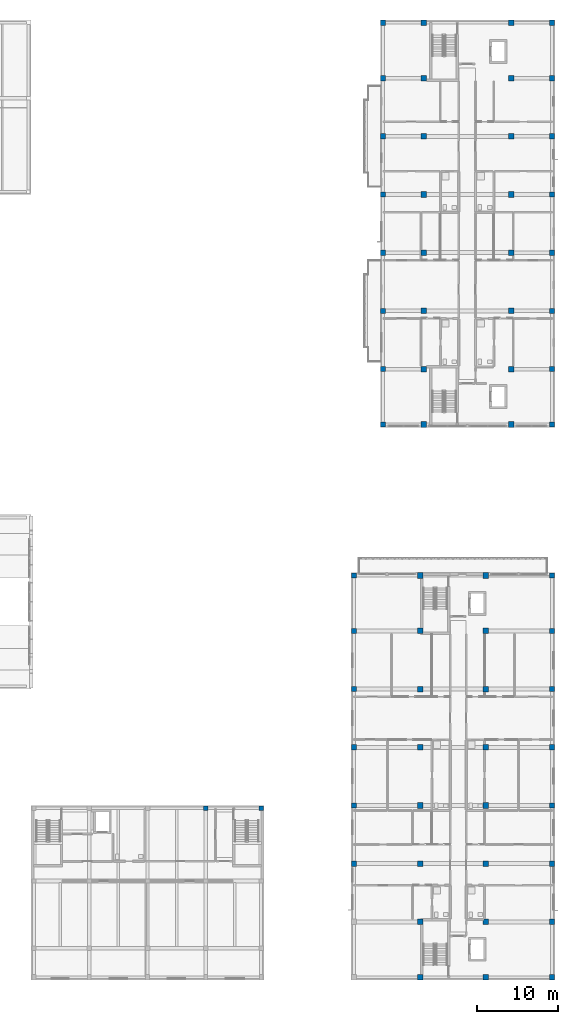
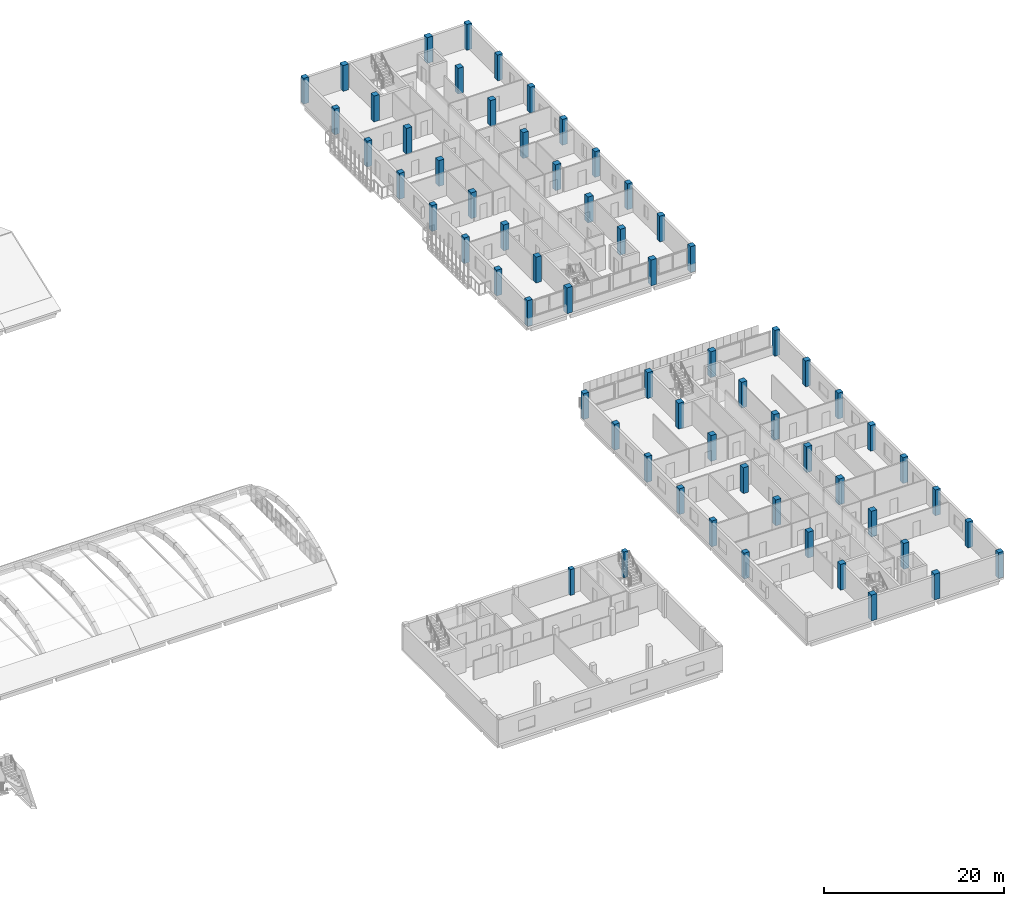
# One storey, part 2 of 73: 64 columns.
"""IFC4 building model written with IfcOpenShell, lengths in metres."""

import ifcopenshell
import ifcopenshell.guid

model = None  # the IFC model being written
_history = None  # IfcOwnerHistory: only IFC2X3 demands one
_inside = {}  # id of a spatial element -> (the spatial element, [elements in it])
_under = {}  # id of a project, library or spatial element -> (it, [spatial elements below it])
_declared = {}  # id of a project -> (the project, [libraries it declares])
_typed = {}  # id of a type object -> (the type object, [elements of that type])
_made_of = {}  # id of a material, layer set ... -> (it, [elements and type objects made of it])


def new_model(schema):
    """Start an empty IFC model of exactly this schema.

    Asked for "IFC4X3", IfcOpenShell would pick the latest addendum, in which some entities
    have other attributes; the version numbers below select the first issue.
    IFC2X3 requires an IfcOwnerHistory on every rooted entity: one is made here for all.
    """
    global model, _history
    if schema == "IFC4X3":
        model = ifcopenshell.file(schema_version=(4, 3, 0, 0))
    else:
        model = ifcopenshell.file(schema=schema)
    _inside.clear()
    _under.clear()
    _declared.clear()
    _typed.clear()
    _made_of.clear()
    _history = None
    if model.schema == "IFC2X3":
        org = make("IfcOrganization", Name="unknown")
        user = make(
            "IfcPersonAndOrganization",
            ThePerson=make("IfcPerson", FamilyName="unknown"),
            TheOrganization=org,
        )
        app = make(
            "IfcApplication",
            ApplicationDeveloper=org,
            Version="unknown",
            ApplicationFullName="unknown",
            ApplicationIdentifier="unknown",
        )
        _history = make(
            "IfcOwnerHistory",
            OwningUser=user,
            OwningApplication=app,
            ChangeAction="ADDED",
            CreationDate=0,
        )
    return model


def make(cls, **values):
    """One entity of the class cls with the attributes given. An attribute that is None is left unset."""
    return model.create_entity(
        cls, **{name: value for name, value in values.items() if value is not None}
    )


def rooted(cls, **values):
    """An entity with a GlobalId (a new one), such as an element, a storey or a relation."""
    return make(cls, GlobalId=ifcopenshell.guid.new(), OwnerHistory=_history, **values)


def si_unit(unit_type, name, prefix=None):
    """IfcSIUnit, for example si_unit("LENGTHUNIT", "METRE", prefix="MILLI")."""
    return make("IfcSIUnit", UnitType=unit_type, Prefix=prefix, Name=name)


def derived_unit(unit_type, elements):
    """IfcDerivedUnit: a product of units, each with its exponent."""
    return make(
        "IfcDerivedUnit",
        Elements=[
            make("IfcDerivedUnitElement", Unit=unit, Exponent=power)
            for unit, power in elements
        ],
        UnitType=unit_type,
    )


def assignment(units):
    """IfcUnitAssignment: the units of a project."""
    return None if units is None else make("IfcUnitAssignment", Units=units)


def point(xyz):
    """IfcCartesianPoint."""
    return None if xyz is None else make("IfcCartesianPoint", Coordinates=xyz)


def direction(xyz):
    """IfcDirection."""
    return None if xyz is None else make("IfcDirection", DirectionRatios=xyz)


def frame(location, z_axis=None, x_axis=None):
    """IfcAxis2Placement3D, a coordinate frame: its origin and axes. An axis left out is left unset."""
    return make(
        "IfcAxis2Placement3D",
        Location=point(location),
        Axis=direction(z_axis),
        RefDirection=direction(x_axis),
    )


def frame_2d(location, x_axis=None):
    """IfcAxis2Placement2D, a coordinate frame in the plane: its origin and x axis."""
    return make(
        "IfcAxis2Placement2D", Location=point(location), RefDirection=direction(x_axis)
    )


def origin():
    """The frame at (0, 0, 0) with its axes left unset."""
    return frame((0.0, 0.0, 0.0))


def origin_2d():
    """The frame at (0, 0) in the plane with its x axis left unset."""
    return frame_2d((0.0, 0.0))


def place(relative_to, where):
    """IfcLocalPlacement: puts the frame where relative to a parent placement (None: the world)."""
    return make(
        "IfcLocalPlacement", PlacementRelTo=relative_to, RelativePlacement=where
    )


def context(
    kind, dimensions, precision=None, world=None, true_north=None, identifier=None
):
    """IfcGeometricRepresentationContext, for example the 3D "Model" context."""
    return make(
        "IfcGeometricRepresentationContext",
        ContextIdentifier=identifier,
        ContextType=kind,
        CoordinateSpaceDimension=dimensions,
        Precision=precision,
        WorldCoordinateSystem=world,
        TrueNorth=true_north,
    )


def subcontext(parent, identifier, kind, view, scale=None):
    """IfcGeometricRepresentationSubContext, for example "Body" below "Model"."""
    return make(
        "IfcGeometricRepresentationSubContext",
        ContextIdentifier=identifier,
        ContextType=kind,
        ParentContext=parent,
        TargetScale=scale,
        TargetView=view,
    )


def project(units=None, contexts=None):
    """IfcProject with its units and contexts."""
    return rooted(
        "IfcProject",
        Name="project",
        RepresentationContexts=contexts,
        UnitsInContext=assignment(units),
    )


def spatial(cls, under=None, at=None, **own):
    """A site, building, storey or space (cls), placed at a placement, below another one or the project."""
    s = rooted(cls, ObjectPlacement=at, **own)
    if under is not None:
        _under.setdefault(under.id(), (under, []))[1].append(s)
    return s


def profile(cls, at=None, kind="AREA", **sizes):
    """A parametric profile (cls). Its sizes go by their IFC names, for example OverallWidth=200.0."""
    return make(cls, ProfileType=kind, Position=at, **sizes)


def rectangle(**sizes):
    """IfcRectangleProfileDef."""
    return profile("IfcRectangleProfileDef", **sizes)


def extrude(swept, where, along, depth):
    """IfcExtrudedAreaSolid: the profile swept, set in the frame where, extruded along a direction by depth."""
    return make(
        "IfcExtrudedAreaSolid",
        SweptArea=swept,
        Position=where,
        ExtrudedDirection=direction(along),
        Depth=depth,
    )


def shape(context_of_items, identifier, shape_type, items):
    """IfcShapeRepresentation: the items that make up one representation, for example the "Body"."""
    return make(
        "IfcShapeRepresentation",
        ContextOfItems=context_of_items,
        RepresentationIdentifier=identifier,
        RepresentationType=shape_type,
        Items=items,
    )


def material(Name=None, Category=None):
    """IfcMaterial."""
    return make("IfcMaterial", Name=Name, Category=Category)


def material_profile(
    of_material, cross_section, Name=None, Category=None, Priority=None
):
    """IfcMaterialProfile: a cross section and its material."""
    return make(
        "IfcMaterialProfile",
        Name=Name,
        Material=of_material,
        Profile=cross_section,
        Priority=Priority,
        Category=Category,
    )


def profile_set(profiles, Name=None, composite=None):
    """IfcMaterialProfileSet."""
    return make(
        "IfcMaterialProfileSet",
        Name=Name,
        MaterialProfiles=profiles,
        CompositeProfile=composite,
    )


def made_of(thing, what):
    """Note that an element or type object is made of a material, layer set ...; save() writes the relation."""
    if what is not None:
        _made_of.setdefault(what.id(), (what, []))[1].append(thing)
    return thing


def type_object(cls, material=None, **own):
    """A type object (cls), such as IfcWallType, which elements share."""
    return made_of(rooted(cls, **own), material)


def element(
    cls,
    number,
    at=None,
    inside=None,
    cuts=None,
    type_object=None,
    material=None,
    context=None,
    identifier="Body",
    shape_type=None,
    held_by="IfcProductDefinitionShape",
    body=None,
    shapes=None,
    **own,
):
    """One element of the class cls, such as IfcWall. Its Tag is "e" and its number.

    at: its placement. inside: the storey or other place that contains it. cuts: it is an
    opening in that element (IfcRelVoidsElement). A single representation is given by context,
    identifier, shape_type and body (its items); several are given by shapes. held_by: the class
    of the entity that holds the representations. save() writes the other relations.
    """
    e = rooted(cls, Tag="e%d" % number, ObjectPlacement=at, **own)
    if body is not None:
        shapes = [shape(context, identifier, shape_type, body)]
    if shapes is not None:
        e.Representation = make(held_by, Representations=shapes)
    if inside is not None:
        _inside.setdefault(inside.id(), (inside, []))[1].append(e)
    if cuts is not None:
        rooted(
            "IfcRelVoidsElement", RelatingBuildingElement=cuts, RelatedOpeningElement=e
        )
    if type_object is not None:
        _typed.setdefault(type_object.id(), (type_object, []))[1].append(e)
    return made_of(e, material)


def aggregate(whole, parts):
    """IfcRelAggregates: a whole, such as a stair, and the parts it consists of."""
    return rooted("IfcRelAggregates", RelatingObject=whole, RelatedObjects=parts)


def save(model, path):
    """Write the relations noted so far, then the file.

    IfcRelAggregates (storeys below a building ...), IfcRelContainedInSpatialStructure (elements
    in a storey), IfcRelDefinesByType, IfcRelAssociatesMaterial and IfcRelDeclares: one each for
    every whole, place, type object, material and project.
    """
    for whole, parts in _under.values():
        aggregate(whole, parts)
    for where, things in _inside.values():
        rooted(
            "IfcRelContainedInSpatialStructure",
            RelatedElements=things,
            RelatingStructure=where,
        )
    for kind, things in _typed.values():
        rooted("IfcRelDefinesByType", RelatedObjects=things, RelatingType=kind)
    for what, things in _made_of.values():
        rooted("IfcRelAssociatesMaterial", RelatedObjects=things, RelatingMaterial=what)
    for by, libraries in _declared.values():
        rooted("IfcRelDeclares", RelatingContext=by, RelatedDefinitions=libraries)
    model.write(path)


model = new_model("IFC4")

# Units and contexts
model_context = context("Model", 3, precision=1e-05, world=origin(), true_north=direction((0.0, 1.0)))
body_context = subcontext(model_context, "Body", "Model", "MODEL_VIEW")
ifc_project = project(units=[si_unit("LENGTHUNIT", "METRE"), si_unit("AREAUNIT", "SQUARE_METRE"), si_unit("VOLUMEUNIT", "CUBIC_METRE"), si_unit("PLANEANGLEUNIT", "RADIAN"), si_unit("MASSUNIT", "GRAM", prefix="KILO"), derived_unit("THERMALTRANSMITTANCEUNIT", [(si_unit("MASSUNIT", "GRAM", prefix="KILO"), 1), (si_unit("TIMEUNIT", "SECOND"), -3), (si_unit("THERMODYNAMICTEMPERATUREUNIT", "KELVIN"), -1)])], contexts=[model_context])

# Site, building, storey
site_placement = place(None, origin())
site = spatial("IfcSite", under=ifc_project, at=site_placement, CompositionType="ELEMENT")
building_placement = place(site_placement, origin())
building = spatial("IfcBuilding", under=site, at=building_placement, Name="Ochrekiln Boulevard Commons", CompositionType="ELEMENT")
storey_placement = place(building_placement, frame((0.0, 0.0, 8.574951171875)))
storey = spatial("IfcBuildingStorey", under=building, at=storey_placement, Name="L02", CompositionType="ELEMENT", Elevation=8.574951171875)

# Columns
ifc_material_1 = material(Name="Concrete C35/45", Category="concrete")
ifc_material_profile_1 = material_profile(ifc_material_1, rectangle(XDim=0.550048828125, YDim=0.550048828125, at=origin_2d()), Name="RC-COL-550x550")
ifc_profile_set_1 = profile_set([ifc_material_profile_1], Name="Concrete C35/45")
column_type_1 = type_object("IfcColumnType", Name="COL-RC-550", PredefinedType="COLUMN", material=ifc_profile_set_1)
for number, where, z_axis, x_axis, name in (
    (1, (129.60009765625, 21.25, 0.0), (0.0, 0.0, 1.0), (1.0, 0.0, 0.0), "East Boulevard Shops and Arcade L02 Column C-550 (16)"),
    (2, (136.449951171875, 21.25, 0.0), (0.0, 0.0, 1.0), (1.0, 0.0, 0.0), "East Boulevard Shops and Arcade L02 Column C-550 (20)"),
):
    element("IfcColumn", number, at=place(storey_placement, frame(where, z_axis=z_axis, x_axis=x_axis)), inside=storey, type_object=column_type_1, Name=name, PredefinedType="COLUMN", context=body_context, shape_type="SweptSolid", body=[
        extrude(rectangle(XDim=0.550048828125, YDim=0.550048828125, at=origin_2d()), origin(), (0.0, 0.0, 1.0), 3.5),
    ])
ifc_material_2 = material(Name="Concrete C40/50", Category="concrete")
ifc_material_profile_2 = material_profile(ifc_material_2, rectangle(XDim=0.64990234375, YDim=0.64990234375, at=origin_2d()), Name="RC-COL-650x650")
ifc_profile_set_2 = profile_set([ifc_material_profile_2], Name="Concrete C40/50")
column_type_2 = type_object("IfcColumnType", Name="COL-RC-650", PredefinedType="COLUMN", material=ifc_profile_set_2)
for number, where, z_axis, x_axis, name in (
    (3, (151.550048828125, 68.75, 0.0), (0.0, 0.0, 1.0), (1.0, 0.0, 0.0), "Block B L02 Column C-650 (1)"),
    (4, (151.550048828125, 75.60009765625, 0.0), (0.0, 0.0, 1.0), (1.0, 0.0, 0.0), "Block B L02 Column C-650 (2)"),
    (5, (151.550048828125, 82.800048828125, 0.0), (0.0, 0.0, 1.0), (1.0, 0.0, 0.0), "Block B L02 Column C-650 (3)"),
    (6, (151.550048828125, 90.0, 0.0), (0.0, 0.0, 1.0), (1.0, 0.0, 0.0), "Block B L02 Column C-650 (4)"),
    (7, (151.550048828125, 97.199951171875, 0.0), (0.0, 0.0, 1.0), (1.0, 0.0, 0.0), "Block B L02 Column C-650 (5)"),
    (8, (151.550048828125, 104.39990234375, 0.0), (0.0, 0.0, 1.0), (1.0, 0.0, 0.0), "Block B L02 Column C-650 (6)"),
    (9, (151.550048828125, 111.60009765625, 0.0), (0.0, 0.0, 1.0), (1.0, 0.0, 0.0), "Block B L02 Column C-650 (7)"),
    (10, (151.550048828125, 118.449951171875, 0.0), (0.0, 0.0, 1.0), (1.0, 0.0, 0.0), "Block B L02 Column C-650 (8)"),
    (11, (172.449951171875, 68.75, 0.0), (0.0, 0.0, 1.0), (1.0, 0.0, 0.0), "Block B L02 Column C-650 (25)"),
    (12, (172.449951171875, 75.60009765625, 0.0), (0.0, 0.0, 1.0), (1.0, 0.0, 0.0), "Block B L02 Column C-650 (26)"),
    (13, (172.449951171875, 82.800048828125, 0.0), (0.0, 0.0, 1.0), (1.0, 0.0, 0.0), "Block B L02 Column C-650 (27)"),
    (14, (172.449951171875, 90.0, 0.0), (0.0, 0.0, 1.0), (1.0, 0.0, 0.0), "Block B L02 Column C-650 (28)"),
    (15, (172.449951171875, 97.199951171875, 0.0), (0.0, 0.0, 1.0), (1.0, 0.0, 0.0), "Block B L02 Column C-650 (29)"),
    (16, (172.449951171875, 104.39990234375, 0.0), (0.0, 0.0, 1.0), (1.0, 0.0, 0.0), "Block B L02 Column C-650 (30)"),
    (17, (172.449951171875, 111.60009765625, 0.0), (0.0, 0.0, 1.0), (1.0, 0.0, 0.0), "Block B L02 Column C-650 (31)"),
    (18, (172.449951171875, 118.449951171875, 0.0), (0.0, 0.0, 1.0), (1.0, 0.0, 0.0), "Block B L02 Column C-650 (32)"),
    (19, (147.949951171875, 14.39990234375, 0.0), (0.0, 0.0, 1.0), (1.0, 0.0, 0.0), "Block C L02 Column C-650 (3)"),
    (20, (147.949951171875, 21.60009765625, 0.0), (0.0, 0.0, 1.0), (1.0, 0.0, 0.0), "Block C L02 Column C-650 (4)"),
    (21, (147.949951171875, 28.800048828125, 0.0), (0.0, 0.0, 1.0), (1.0, 0.0, 0.0), "Block C L02 Column C-650 (5)"),
    (22, (147.949951171875, 36.0, 0.0), (0.0, 0.0, 1.0), (1.0, 0.0, 0.0), "Block C L02 Column C-650 (6)"),
    (23, (147.949951171875, 43.199951171875, 0.0), (0.0, 0.0, 1.0), (1.0, 0.0, 0.0), "Block C L02 Column C-650 (7)"),
    (24, (147.949951171875, 50.050048828125, 0.0), (0.0, 0.0, 1.0), (1.0, 0.0, 0.0), "Block C L02 Column C-650 (8)"),
    (25, (172.449951171875, 0.35009765625, 0.0), (0.0, 0.0, 1.0), (1.0, 0.0, 0.0), "Block C L02 Column C-650 (25)"),
    (26, (172.449951171875, 7.199951171875, 0.0), (0.0, 0.0, 1.0), (1.0, 0.0, 0.0), "Block C L02 Column C-650 (26)"),
    (27, (172.449951171875, 14.39990234375, 0.0), (0.0, 0.0, 1.0), (1.0, 0.0, 0.0), "Block C L02 Column C-650 (27)"),
    (28, (172.449951171875, 21.60009765625, 0.0), (0.0, 0.0, 1.0), (1.0, 0.0, 0.0), "Block C L02 Column C-650 (28)"),
    (29, (172.449951171875, 28.800048828125, 0.0), (0.0, 0.0, 1.0), (1.0, 0.0, 0.0), "Block C L02 Column C-650 (29)"),
    (30, (172.449951171875, 36.0, 0.0), (0.0, 0.0, 1.0), (1.0, 0.0, 0.0), "Block C L02 Column C-650 (30)"),
    (31, (172.449951171875, 43.199951171875, 0.0), (0.0, 0.0, 1.0), (1.0, 0.0, 0.0), "Block C L02 Column C-650 (31)"),
    (32, (172.449951171875, 50.050048828125, 0.0), (0.0, 0.0, 1.0), (1.0, 0.0, 0.0), "Block C L02 Column C-650 (32)"),
):
    element("IfcColumn", number, at=place(storey_placement, frame(where, z_axis=z_axis, x_axis=x_axis)), inside=storey, type_object=column_type_2, Name=name, PredefinedType="COLUMN", context=body_context, shape_type="SweptSolid", body=[
        extrude(rectangle(XDim=0.64990234375, YDim=0.64990234375, at=origin_2d()), origin(), (0.0, 0.0, 1.0), 3.5),
    ])
ifc_material_profile_3 = material_profile(ifc_material_2, rectangle(XDim=0.699951171875, YDim=0.699951171875, at=origin_2d()), Name="RC-COL-700x700")
ifc_profile_set_3 = profile_set([ifc_material_profile_3], Name="Concrete C40/50")
column_type_3 = type_object("IfcColumnType", Name="COL-RC-700", PredefinedType="COLUMN", material=ifc_profile_set_3)
for number, where, z_axis, x_axis, name in (
    (33, (156.60009765625, 68.75, 0.0), (0.0, 0.0, 1.0), (1.0, 0.0, 0.0), "Block B L02 Column C-700 (9)"),
    (34, (156.60009765625, 75.60009765625, 0.0), (0.0, 0.0, 1.0), (1.0, 0.0, 0.0), "Block B L02 Column C-700 (10)"),
    (35, (156.60009765625, 82.800048828125, 0.0), (0.0, 0.0, 1.0), (1.0, 0.0, 0.0), "Block B L02 Column C-700 (11)"),
    (36, (156.60009765625, 90.0, 0.0), (0.0, 0.0, 1.0), (1.0, 0.0, 0.0), "Block B L02 Column C-700 (12)"),
    (37, (156.60009765625, 97.199951171875, 0.0), (0.0, 0.0, 1.0), (1.0, 0.0, 0.0), "Block B L02 Column C-700 (13)"),
    (38, (156.60009765625, 104.39990234375, 0.0), (0.0, 0.0, 1.0), (1.0, 0.0, 0.0), "Block B L02 Column C-700 (14)"),
    (39, (156.60009765625, 111.60009765625, 0.0), (0.0, 0.0, 1.0), (1.0, 0.0, 0.0), "Block B L02 Column C-700 (15)"),
    (40, (156.60009765625, 118.449951171875, 0.0), (0.0, 0.0, 1.0), (1.0, 0.0, 0.0), "Block B L02 Column C-700 (16)"),
    (41, (167.39990234375, 68.75, 0.0), (0.0, 0.0, 1.0), (1.0, 0.0, 0.0), "Block B L02 Column C-700 (17)"),
    (42, (167.39990234375, 75.60009765625, 0.0), (0.0, 0.0, 1.0), (1.0, 0.0, 0.0), "Block B L02 Column C-700 (18)"),
    (43, (167.39990234375, 82.800048828125, 0.0), (0.0, 0.0, 1.0), (1.0, 0.0, 0.0), "Block B L02 Column C-700 (19)"),
    (44, (167.39990234375, 90.0, 0.0), (0.0, 0.0, 1.0), (1.0, 0.0, 0.0), "Block B L02 Column C-700 (20)"),
    (45, (167.39990234375, 97.199951171875, 0.0), (0.0, 0.0, 1.0), (1.0, 0.0, 0.0), "Block B L02 Column C-700 (21)"),
    (46, (167.39990234375, 104.39990234375, 0.0), (0.0, 0.0, 1.0), (1.0, 0.0, 0.0), "Block B L02 Column C-700 (22)"),
    (47, (167.39990234375, 111.60009765625, 0.0), (0.0, 0.0, 1.0), (1.0, 0.0, 0.0), "Block B L02 Column C-700 (23)"),
    (48, (167.39990234375, 118.449951171875, 0.0), (0.0, 0.0, 1.0), (1.0, 0.0, 0.0), "Block B L02 Column C-700 (24)"),
    (49, (156.14990234375, 0.35009765625, 0.0), (0.0, 0.0, 1.0), (1.0, 0.0, 0.0), "Block C L02 Column C-700 (9)"),
    (50, (156.14990234375, 7.199951171875, 0.0), (0.0, 0.0, 1.0), (1.0, 0.0, 0.0), "Block C L02 Column C-700 (10)"),
    (51, (156.14990234375, 14.39990234375, 0.0), (0.0, 0.0, 1.0), (1.0, 0.0, 0.0), "Block C L02 Column C-700 (11)"),
    (52, (156.14990234375, 21.60009765625, 0.0), (0.0, 0.0, 1.0), (1.0, 0.0, 0.0), "Block C L02 Column C-700 (12)"),
    (53, (156.14990234375, 28.800048828125, 0.0), (0.0, 0.0, 1.0), (1.0, 0.0, 0.0), "Block C L02 Column C-700 (13)"),
    (54, (156.14990234375, 36.0, 0.0), (0.0, 0.0, 1.0), (1.0, 0.0, 0.0), "Block C L02 Column C-700 (14)"),
    (55, (156.14990234375, 43.199951171875, 0.0), (0.0, 0.0, 1.0), (1.0, 0.0, 0.0), "Block C L02 Column C-700 (15)"),
    (56, (156.14990234375, 50.050048828125, 0.0), (0.0, 0.0, 1.0), (1.0, 0.0, 0.0), "Block C L02 Column C-700 (16)"),
    (57, (164.25, 0.35009765625, 0.0), (0.0, 0.0, 1.0), (1.0, 0.0, 0.0), "Block C L02 Column C-700 (17)"),
    (58, (164.25, 7.199951171875, 0.0), (0.0, 0.0, 1.0), (1.0, 0.0, 0.0), "Block C L02 Column C-700 (18)"),
    (59, (164.25, 14.39990234375, 0.0), (0.0, 0.0, 1.0), (1.0, 0.0, 0.0), "Block C L02 Column C-700 (19)"),
    (60, (164.25, 21.60009765625, 0.0), (0.0, 0.0, 1.0), (1.0, 0.0, 0.0), "Block C L02 Column C-700 (20)"),
    (61, (164.25, 28.800048828125, 0.0), (0.0, 0.0, 1.0), (1.0, 0.0, 0.0), "Block C L02 Column C-700 (21)"),
    (62, (164.25, 36.0, 0.0), (0.0, 0.0, 1.0), (1.0, 0.0, 0.0), "Block C L02 Column C-700 (22)"),
    (63, (164.25, 43.199951171875, 0.0), (0.0, 0.0, 1.0), (1.0, 0.0, 0.0), "Block C L02 Column C-700 (23)"),
    (64, (164.25, 50.050048828125, 0.0), (0.0, 0.0, 1.0), (1.0, 0.0, 0.0), "Block C L02 Column C-700 (24)"),
):
    element("IfcColumn", number, at=place(storey_placement, frame(where, z_axis=z_axis, x_axis=x_axis)), inside=storey, type_object=column_type_3, Name=name, PredefinedType="COLUMN", context=body_context, shape_type="SweptSolid", body=[
        extrude(rectangle(XDim=0.699951171875, YDim=0.699951171875, at=origin_2d()), origin(), (0.0, 0.0, 1.0), 3.5),
    ])

save(model, "model.ifc")
